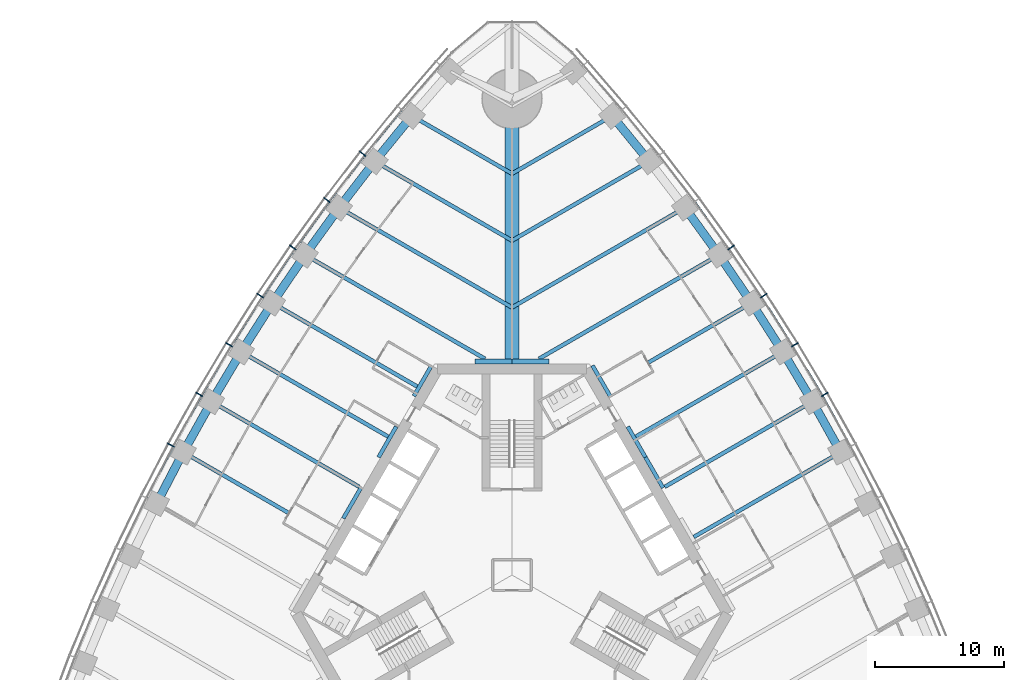
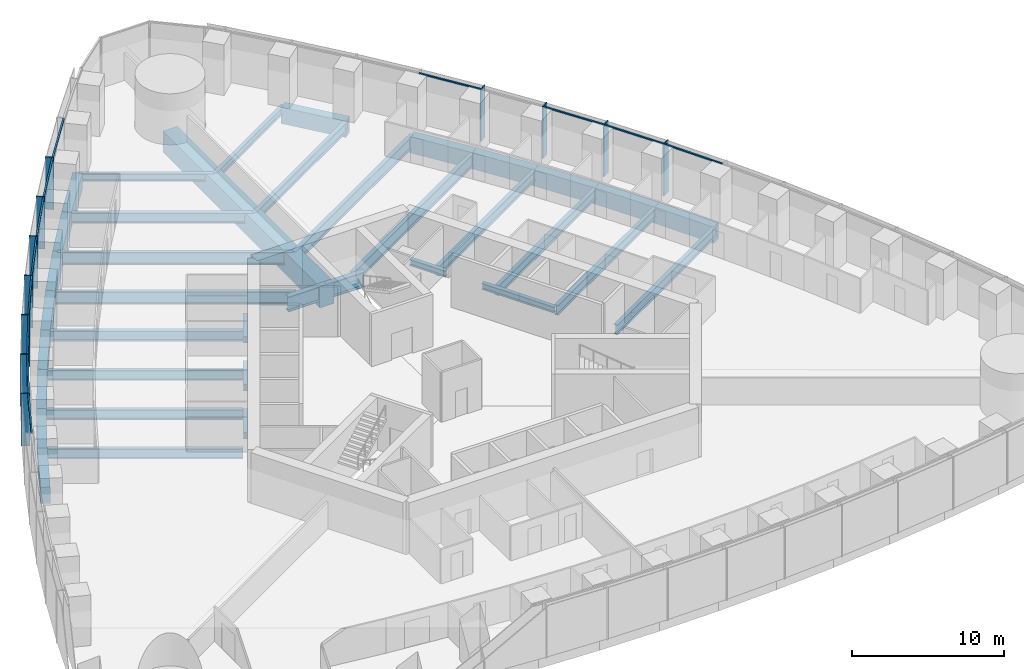
# One storey, part 4 of 19: 39 beams, 23 members, 2 elements without a shape of their own.
"""IFC4 building model written with IfcOpenShell, lengths in metres."""

from ifc_helpers import new_model, si_unit, direction, frame, origin, origin_2d, place, context, subcontext, project, spatial, rectangle, i_section, extrude, material, material_profile, profile_set, type_object, element, aggregate, save


model = new_model("IFC4")

# Units and contexts
model_context = context("Model", 3, precision=1e-05, world=origin(), true_north=direction((0.0, 1.0)))
body_context = subcontext(model_context, "Body", "Model", "MODEL_VIEW")
ifc_project = project(units=[si_unit("LENGTHUNIT", "METRE"), si_unit("AREAUNIT", "SQUARE_METRE"), si_unit("VOLUMEUNIT", "CUBIC_METRE"), si_unit("PLANEANGLEUNIT", "RADIAN"), si_unit("MASSUNIT", "GRAM", prefix="KILO")], contexts=[model_context])

# Site, building, storey
site_placement = place(None, origin())
site = spatial("IfcSite", under=ifc_project, at=site_placement, CompositionType="ELEMENT")
building_placement = place(site_placement, origin())
building = spatial("IfcBuilding", under=site, at=building_placement, Name="Trefoil Bronze Tower", CompositionType="ELEMENT")
storey_placement = place(building_placement, frame((0.0, 0.0, 16.5)))
storey = spatial("IfcBuildingStorey", under=building, at=storey_placement, Name="L03", CompositionType="ELEMENT", Elevation=16.5)

# Curtain wall, members
ifc_material_1 = material(Name="Tinted solar-control glass", Category="glass")
curtain_wall_type = type_object("IfcCurtainWallType", Name="Bronze office curtain wall", PredefinedType="USERDEFINED", material=ifc_material_1)
curtain_wall_1_placement = place(storey_placement, origin())
curtain_wall_1 = element("IfcCurtainWall", 1, at=curtain_wall_1_placement, inside=storey, type_object=curtain_wall_type, Name="CW-A L03 F2", ObjectType="CURTAIN WALL", PredefinedType="USERDEFINED")
ifc_material_2 = material(Name="Bronze-finish aluminium", Category="aluminium")
ifc_material_profile_1 = material_profile(ifc_material_2, rectangle(XDim=0.60009765625, YDim=0.080078125, at=origin_2d()), Name="CW-A mullion")
ifc_profile_set_1 = profile_set([ifc_material_profile_1], Name="Bronze-finish aluminium")
member_type_1 = type_object("IfcMemberType", Name="Bronze office curtain wall mullion", PredefinedType="MULLION", material=ifc_profile_set_1)
member_1_placement = place(storey_placement, frame((24.291015625, 14.0244140625, 0.0), z_axis=(0.0, 0.0, 1.0), x_axis=(-0.866025403784, -0.5, 0.0)))
member_1 = element("IfcMember", 2, at=member_1_placement, type_object=member_type_1, Name="CW-A L03 F2 mullion 9", PredefinedType="MULLION", context=body_context, shape_type="SweptSolid", body=[
    extrude(rectangle(XDim=0.60009765625, YDim=0.080078125, at=origin_2d()), origin(), (0.0, 0.0, 1.0), 4.179931640625),
])
member_2_placement = place(storey_placement, frame((21.97998046875, 17.896240234375, 0.0), z_axis=(0.0, 0.0, 1.0), x_axis=(-0.851149783004, -0.524922896141, 0.0)))
member_2 = element("IfcMember", 3, at=member_2_placement, type_object=member_type_1, Name="CW-A L03 F2 mullion 10", PredefinedType="MULLION", context=body_context, shape_type="SweptSolid", body=[
    extrude(rectangle(XDim=0.60009765625, YDim=0.080078125, at=origin_2d()), origin(), (0.0, 0.0, 1.0), 4.179931640625),
])
member_3_placement = place(storey_placement, frame((19.555419921875, 21.70263671875, 0.0), z_axis=(0.0, 0.0, 1.0), x_axis=(-0.835543651684, -0.549424067665, 0.0)))
member_3 = element("IfcMember", 4, at=member_3_placement, type_object=member_type_1, Name="CW-A L03 F2 mullion 11", PredefinedType="MULLION", context=body_context, shape_type="SweptSolid", body=[
    extrude(rectangle(XDim=0.60009765625, YDim=0.080078125, at=origin_2d()), origin(), (0.0, 0.0, 1.0), 4.179931640625),
])
member_4_placement = place(storey_placement, frame((17.01708984375, 25.443359375, 0.0), z_axis=(0.0, 0.0, 1.0), x_axis=(-0.819204207116, -0.573501932903, 0.0)))
member_4 = element("IfcMember", 5, at=member_4_placement, type_object=member_type_1, Name="CW-A L03 F2 mullion 12", PredefinedType="MULLION", context=body_context, shape_type="SweptSolid", body=[
    extrude(rectangle(XDim=0.60009765625, YDim=0.080078125, at=origin_2d()), origin(), (0.0, 0.0, 1.0), 4.179931640625),
])

curtain_wall_2_placement = place(storey_placement, origin())
curtain_wall_2 = element("IfcCurtainWall", 6, at=curtain_wall_2_placement, inside=storey, type_object=curtain_wall_type, Name="CW-A L03 F3", ObjectType="CURTAIN WALL", PredefinedType="USERDEFINED")
member_5_placement = place(storey_placement, frame((-11.595458984375, 32.7255859375, 0.0), z_axis=(0.0, 0.0, 1.0), x_axis=(0.784304615744, -0.620375910011, 0.0)))
member_5 = element("IfcMember", 7, at=member_5_placement, type_object=member_type_1, Name="CW-A L03 F3 mullion 4", PredefinedType="MULLION", context=body_context, shape_type="SweptSolid", body=[
    extrude(rectangle(XDim=0.60009765625, YDim=0.080078125, at=origin_2d()), origin(), (0.0, 0.0, 1.0), 4.179931640625),
])
member_6_placement = place(storey_placement, frame((-14.364013671875, 29.117919921875, 0.0), z_axis=(0.0, 0.0, 1.0), x_axis=(0.802126748469, -0.59715381552, 0.0)))
member_6 = element("IfcMember", 8, at=member_6_placement, type_object=member_type_1, Name="CW-A L03 F3 mullion 5", PredefinedType="MULLION", context=body_context, shape_type="SweptSolid", body=[
    extrude(rectangle(XDim=0.60009765625, YDim=0.080078125, at=origin_2d()), origin(), (0.0, 0.0, 1.0), 4.179931640625),
])
member_7_placement = place(storey_placement, frame((-17.01708984375, 25.443359375, 0.0), z_axis=(0.0, 0.0, 1.0), x_axis=(0.819204207116, -0.573501932903, 0.0)))
member_7 = element("IfcMember", 9, at=member_7_placement, type_object=member_type_1, Name="CW-A L03 F3 mullion 6", PredefinedType="MULLION", context=body_context, shape_type="SweptSolid", body=[
    extrude(rectangle(XDim=0.60009765625, YDim=0.080078125, at=origin_2d()), origin(), (0.0, 0.0, 1.0), 4.179931640625),
])
member_8_placement = place(storey_placement, frame((-19.555419921875, 21.70263671875, 0.0), z_axis=(0.0, 0.0, 1.0), x_axis=(0.835543651684, -0.549424067665, 0.0)))
member_8 = element("IfcMember", 10, at=member_8_placement, type_object=member_type_1, Name="CW-A L03 F3 mullion 7", PredefinedType="MULLION", context=body_context, shape_type="SweptSolid", body=[
    extrude(rectangle(XDim=0.60009765625, YDim=0.080078125, at=origin_2d()), origin(), (0.0, 0.0, 1.0), 4.179931640625),
])
member_9_placement = place(storey_placement, frame((-21.97998046875, 17.896240234375, 0.0), z_axis=(0.0, 0.0, 1.0), x_axis=(0.851149783004, -0.524922896141, 0.0)))
member_9 = element("IfcMember", 11, at=member_9_placement, type_object=member_type_1, Name="CW-A L03 F3 mullion 8", PredefinedType="MULLION", context=body_context, shape_type="SweptSolid", body=[
    extrude(rectangle(XDim=0.60009765625, YDim=0.080078125, at=origin_2d()), origin(), (0.0, 0.0, 1.0), 4.179931640625),
])
member_10_placement = place(storey_placement, frame((-24.291015625, 14.0244140625, 0.0), z_axis=(0.0, 0.0, 1.0), x_axis=(0.866025403784, -0.5, 0.0)))
member_10 = element("IfcMember", 12, at=member_10_placement, type_object=member_type_1, Name="CW-A L03 F3 mullion 9", PredefinedType="MULLION", context=body_context, shape_type="SweptSolid", body=[
    extrude(rectangle(XDim=0.60009765625, YDim=0.080078125, at=origin_2d()), origin(), (0.0, 0.0, 1.0), 4.179931640625),
])
member_11_placement = place(storey_placement, frame((-26.488525390625, 10.0869140625, 0.0), z_axis=(0.0, 0.0, 1.0), x_axis=(0.880171454588, -0.474655886437, 0.0)))
member_11 = element("IfcMember", 13, at=member_11_placement, type_object=member_type_1, Name="CW-A L03 F3 mullion 10", PredefinedType="MULLION", context=body_context, shape_type="SweptSolid", body=[
    extrude(rectangle(XDim=0.60009765625, YDim=0.080078125, at=origin_2d()), origin(), (0.0, 0.0, 1.0), 4.179931640625),
])

# Member
ifc_material_3 = material(Name="Bronze-finish aluminium", Category="aluminium")
ifc_material_profile_2 = material_profile(ifc_material_3, rectangle(XDim=0.1201171875, YDim=0.10009765625, at=origin_2d()), Name="CW-A transom")
ifc_profile_set_2 = profile_set([ifc_material_profile_2], Name="Bronze-finish aluminium")
member_type_2 = type_object("IfcMemberType", Name="Bronze office curtain wall transom", PredefinedType="USERDEFINED", material=ifc_profile_set_2)
member_12_placement = place(storey_placement, frame((26.29248046875, 10.0283203125, 4.1298828125), z_axis=(-0.487400435348, 0.873178570295, 0.0), x_axis=(-0.873178570295, -0.487400435348, 0.0)))
member_12 = element("IfcMember", 14, at=member_12_placement, type_object=member_type_2, Name="CW-A L03 F2 transom 8", ObjectType="TRANSOM", PredefinedType="USERDEFINED", context=body_context, shape_type="SweptSolid", body=[
    extrude(rectangle(XDim=0.1201171875, YDim=0.10009765625, at=origin_2d()), origin(), (0.0, 0.0, 1.0), 4.42041015625),
])

member_13_placement = place(storey_placement, frame((24.096435546875, 13.9599609375, 4.1298828125), z_axis=(-0.512536988879, 0.858665147209, 0.0), x_axis=(-0.858665147209, -0.512536988879, 0.0)))
member_13 = element("IfcMember", 15, at=member_13_placement, type_object=member_type_2, Name="CW-A L03 F2 transom 9", ObjectType="TRANSOM", PredefinedType="USERDEFINED", context=body_context, shape_type="SweptSolid", body=[
    extrude(rectangle(XDim=0.1201171875, YDim=0.10009765625, at=origin_2d()), origin(), (0.0, 0.0, 1.0), 4.42041015625),
])

member_14_placement = place(storey_placement, frame((21.787353515625, 17.826171875, 4.1298828125), z_axis=(-0.537196807268, 0.843456928515, 0.0), x_axis=(-0.843456928515, -0.537196807268, 0.0)))
member_14 = element("IfcMember", 16, at=member_14_placement, type_object=member_type_2, Name="CW-A L03 F2 transom 10", ObjectType="TRANSOM", PredefinedType="USERDEFINED", context=body_context, shape_type="SweptSolid", body=[
    extrude(rectangle(XDim=0.1201171875, YDim=0.10009765625, at=origin_2d()), origin(), (0.0, 0.0, 1.0), 4.42431640625),
])

member_15_placement = place(storey_placement, frame((16.828857421875, 25.3623046875, 4.1298828125), z_axis=(-0.585378207433, 0.81076035563, 0.0), x_axis=(-0.81076035563, -0.585378207433, 0.0)))
member_15 = element("IfcMember", 17, at=member_15_placement, type_object=member_type_2, Name="CW-A L03 F2 transom 12", ObjectType="TRANSOM", PredefinedType="USERDEFINED", context=body_context, shape_type="SweptSolid", body=[
    extrude(rectangle(XDim=0.1201171875, YDim=0.10009765625, at=origin_2d()), origin(), (0.0, 0.0, 1.0), 4.443359375),
])

aggregate(curtain_wall_1, [member_1, member_2, member_3, member_4, member_12, member_13, member_14, member_15])

member_16_placement = place(storey_placement, frame((-8.582763671875, 36.10498046875, 4.1298828125), z_axis=(-0.631835540201, -0.775102477185, 0.0), x_axis=(0.775102477185, -0.631835540201, 0.0)))
member_16 = element("IfcMember", 18, at=member_16_placement, type_object=member_type_2, Name="CW-A L03 F3 transom 3", ObjectType="TRANSOM", PredefinedType="USERDEFINED", context=body_context, shape_type="SweptSolid", body=[
    extrude(rectangle(XDim=0.1201171875, YDim=0.10009765625, at=origin_2d()), origin(), (0.0, 0.0, 1.0), 4.478271484375),
])

member_17_placement = place(storey_placement, frame((-11.4638671875, 32.568603515625, 4.1298828125), z_axis=(-0.608829203216, -0.793301330713, 0.0), x_axis=(0.793301330713, -0.608829203216, 0.0)))
member_17 = element("IfcMember", 19, at=member_17_placement, type_object=member_type_2, Name="CW-A L03 F3 transom 4", ObjectType="TRANSOM", PredefinedType="USERDEFINED", context=body_context, shape_type="SweptSolid", body=[
    extrude(rectangle(XDim=0.1201171875, YDim=0.10009765625, at=origin_2d()), origin(), (0.0, 0.0, 1.0), 4.458740234375),
])

member_18_placement = place(storey_placement, frame((-14.227783203125, 28.96484375, 4.1298828125), z_axis=(-0.585378207433, -0.81076035563, 0.0), x_axis=(0.81076035563, -0.585378207433, 0.0)))
member_18 = element("IfcMember", 20, at=member_18_placement, type_object=member_type_2, Name="CW-A L03 F3 transom 5", ObjectType="TRANSOM", PredefinedType="USERDEFINED", context=body_context, shape_type="SweptSolid", body=[
    extrude(rectangle(XDim=0.1201171875, YDim=0.10009765625, at=origin_2d()), origin(), (0.0, 0.0, 1.0), 4.443359375),
])

member_19_placement = place(storey_placement, frame((-16.87646484375, 25.29443359375, 4.1298828125), z_axis=(-0.561508153923, -0.827471203775, 0.0), x_axis=(0.827471203775, -0.561508153923, 0.0)))
member_19 = element("IfcMember", 21, at=member_19_placement, type_object=member_type_2, Name="CW-A L03 F3 transom 6", ObjectType="TRANSOM", PredefinedType="USERDEFINED", context=body_context, shape_type="SweptSolid", body=[
    extrude(rectangle(XDim=0.1201171875, YDim=0.10009765625, at=origin_2d()), origin(), (0.0, 0.0, 1.0), 4.431884765625),
])

member_20_placement = place(storey_placement, frame((-19.41064453125, 21.557861328125, 4.1298828125), z_axis=(-0.537196807268, -0.843456928515, 0.0), x_axis=(0.843456928515, -0.537196807268, 0.0)))
member_20 = element("IfcMember", 22, at=member_20_placement, type_object=member_type_2, Name="CW-A L03 F3 transom 7", ObjectType="TRANSOM", PredefinedType="USERDEFINED", context=body_context, shape_type="SweptSolid", body=[
    extrude(rectangle(XDim=0.1201171875, YDim=0.10009765625, at=origin_2d()), origin(), (0.0, 0.0, 1.0), 4.42431640625),
])

member_21_placement = place(storey_placement, frame((-21.830810546875, 17.755615234375, 4.1298828125), z_axis=(-0.512536988879, -0.858665147209, 0.0), x_axis=(0.858665147209, -0.512536988879, 0.0)))
member_21 = element("IfcMember", 23, at=member_21_placement, type_object=member_type_2, Name="CW-A L03 F3 transom 8", ObjectType="TRANSOM", PredefinedType="USERDEFINED", context=body_context, shape_type="SweptSolid", body=[
    extrude(rectangle(XDim=0.1201171875, YDim=0.10009765625, at=origin_2d()), origin(), (0.0, 0.0, 1.0), 4.42041015625),
])

member_22_placement = place(storey_placement, frame((-24.137939453125, 13.88818359375, 4.1298828125), z_axis=(-0.487400435348, -0.873178570295, 0.0), x_axis=(0.873178570295, -0.487400435348, 0.0)))
member_22 = element("IfcMember", 24, at=member_22_placement, type_object=member_type_2, Name="CW-A L03 F3 transom 9", ObjectType="TRANSOM", PredefinedType="USERDEFINED", context=body_context, shape_type="SweptSolid", body=[
    extrude(rectangle(XDim=0.1201171875, YDim=0.10009765625, at=origin_2d()), origin(), (0.0, 0.0, 1.0), 4.42041015625),
])

member_23_placement = place(storey_placement, frame((-26.331787109375, 9.955322265625, 4.1298828125), z_axis=(-0.461809621225, -0.886979071762, 0.0), x_axis=(0.886979071762, -0.461809621225, 0.0)))
member_23 = element("IfcMember", 25, at=member_23_placement, type_object=member_type_2, Name="CW-A L03 F3 transom 10", ObjectType="TRANSOM", PredefinedType="USERDEFINED", context=body_context, shape_type="SweptSolid", body=[
    extrude(rectangle(XDim=0.1201171875, YDim=0.10009765625, at=origin_2d()), origin(), (0.0, 0.0, 1.0), 4.42431640625),
])

aggregate(curtain_wall_2, [member_5, member_6, member_7, member_8, member_9, member_10, member_11, member_16, member_17, member_18, member_19, member_20, member_21, member_22, member_23])

# Beams
ifc_material_4 = material(Name="Steel C355", Category="steel")
ifc_material_profile_3 = material_profile(ifc_material_4, i_section(OverallWidth=0.300048828125, OverallDepth=0.5, WebThickness=0.014404296875, FlangeThickness=0.028076171875, FilletRadius=0.027099609375, at=origin_2d()), Name="HEB 500")
ifc_profile_set_3 = profile_set([ifc_material_profile_3], Name="Steel C355")
beam_type_1 = type_object("IfcBeamType", Name="Core seat beam HEB 500", PredefinedType="BEAM", material=ifc_profile_set_3)
for number, where, z_axis, x_axis, name in (
    (26, (11.734619140625, 6.77490234375, -0.449951171875), (-0.499969057507, 0.866043267704, 0.0), (-0.866043267704, -0.499969057507, 0.0), "Core seat beam F2/+0 L03"),
    (27, (10.363525390625, 9.14990234375, -0.449951171875), (-0.500035825175, 0.866004719122, 0.0), (-0.866004719122, -0.500035825175, 0.0), "Core seat beam F2/+1 L03"),
    (28, (7.62109375, 13.89990234375, -0.449951171875), (-0.500035825175, 0.866004719122, 0.0), (-0.866004719122, -0.500035825175, 0.0), "Core seat beam F2/+2 L03"),
    (29, (-6.249755859375, 16.27490234375, -0.449951171875), (-0.500035825175, -0.866004719122, 0.0), (0.866004719122, -0.500035825175, 0.0), "Core seat beam F3/-2 L03"),
    (30, (-8.9921875, 11.52490234375, -0.449951171875), (-0.500035825175, -0.866004719122, 0.0), (0.866004719122, -0.500035825175, 0.0), "Core seat beam F3/-1 L03"),
    (31, (-11.734619140625, 6.77490234375, -0.449951171875), (-0.500035825175, -0.866004719122, 0.0), (0.866004719122, -0.500035825175, 0.0), "Core seat beam F3/+0 L03"),
):
    element("IfcBeam", number, at=place(storey_placement, frame(where, z_axis=z_axis, x_axis=x_axis)), inside=storey, type_object=beam_type_1, Name=name, PredefinedType="BEAM", context=body_context, shape_type="SweptSolid", body=[
        extrude(i_section(OverallWidth=0.300048828125, OverallDepth=0.5, WebThickness=0.014404296875, FlangeThickness=0.028076171875, FilletRadius=0.027099609375, at=origin_2d()), origin(), (0.0, 0.0, 1.0), 2.742431640625),
    ])
ifc_material_5 = material(Name="Steel C355", Category="steel")
ifc_material_profile_4 = material_profile(ifc_material_5, i_section(OverallWidth=0.39990234375, OverallDepth=1.199951171875, WebThickness=0.02001953125, FlangeThickness=0.0400390625, FilletRadius=0.010009765625, at=origin_2d()), Name="WPG 1200")
ifc_profile_set_4 = profile_set([ifc_material_profile_4], Name="Steel C355")
beam_type_2 = type_object("IfcBeamType", Name="Core seat beam WPG 1200", PredefinedType="BEAM", material=ifc_profile_set_4)
for number, where, z_axis, x_axis, name in (
    (32, (2.88671875, 16.60009765625, -0.800048828125), (-1.0, 0.0, 0.0), (0.0, -1.0, 0.0), "Core seat beam F2/+3 L03"),
    (33, (0.0, 16.60009765625, -0.800048828125), (-1.0, 0.0, 0.0), (0.0, -1.0, 0.0), "Core seat beam F3/-3 L03"),
):
    element("IfcBeam", number, at=place(storey_placement, frame(where, z_axis=z_axis, x_axis=x_axis)), inside=storey, type_object=beam_type_2, Name=name, PredefinedType="BEAM", context=body_context, shape_type="SweptSolid", body=[
        extrude(i_section(OverallWidth=0.39990234375, OverallDepth=1.199951171875, WebThickness=0.02001953125, FlangeThickness=0.0400390625, FilletRadius=0.010009765625, at=origin_2d()), origin(), (0.0, 0.0, 1.0), 2.88671875),
    ])
ifc_material_6 = material(Name="Concrete B80", Category="concrete")
ifc_material_profile_5 = material_profile(ifc_material_6, rectangle(XDim=1.10009765625, YDim=1.699951171875, at=origin_2d()), Name="RC 1100x1700")
ifc_profile_set_5 = profile_set([ifc_material_profile_5], Name="Concrete B80")
beam_type_3 = type_object("IfcBeamType", Name="Corner girder RC 1100x1700", PredefinedType="BEAM", material=ifc_profile_set_5)
beam_1_placement = place(storey_placement, frame((0.0, 16.39990234375, -1.050048828125), z_axis=(0.0, 1.0, 0.0), x_axis=(-1.0, 0.0, 0.0)))
element("IfcBeam", 34, at=beam_1_placement, inside=storey, type_object=beam_type_3, Name="Corner girder K2 L03", PredefinedType="BEAM", context=body_context, shape_type="SweptSolid", body=[
    extrude(rectangle(XDim=1.10009765625, YDim=1.699951171875, at=origin_2d()), origin(), (0.0, 0.0, 1.0), 20.60009765625),
])
ifc_material_7 = material(Name="Steel C355", Category="steel")
ifc_material_profile_6 = material_profile(ifc_material_7, i_section(OverallWidth=0.300048828125, OverallDepth=0.590087890625, WebThickness=0.012939453125, FlangeThickness=0.02490234375, FilletRadius=0.027099609375, at=origin_2d()), Name="HEA 600")
ifc_profile_set_6 = profile_set([ifc_material_profile_6], Name="Steel C355")
beam_type_4 = type_object("IfcBeamType", Name="Floor beam HEA 600", PredefinedType="BEAM", material=ifc_profile_set_6)
for number, where, z_axis, x_axis, name in (
    (35, (7.7763671875, 35.666748046875, -0.4951171875), (-0.866022587327, -0.500004878216, 0.0), (0.500004878216, -0.866022587327, 0.0), "Floor beam F2/+6 L03"),
    (36, (-7.7763671875, 35.666748046875, -0.4951171875), (0.866022587327, -0.500004878216, 0.0), (0.500004878216, 0.866022587327, 0.0), "Floor beam F3/-6 L03"),
):
    element("IfcBeam", number, at=place(storey_placement, frame(where, z_axis=z_axis, x_axis=x_axis)), inside=storey, type_object=beam_type_4, Name=name, PredefinedType="BEAM", context=body_context, shape_type="SweptSolid", body=[
        extrude(i_section(OverallWidth=0.300048828125, OverallDepth=0.590087890625, WebThickness=0.012939453125, FlangeThickness=0.02490234375, FilletRadius=0.027099609375, at=origin_2d()), origin(), (0.0, 0.0, 1.0), 8.9794921875),
    ])
ifc_material_8 = material(Name="Steel C355", Category="steel")
ifc_material_profile_7 = material_profile(ifc_material_8, i_section(OverallWidth=0.300048828125, OverallDepth=1.0, WebThickness=0.01904296875, FlangeThickness=0.035888671875, FilletRadius=0.030029296875, at=origin_2d()), Name="HEB 1000")
ifc_profile_set_7 = profile_set([ifc_material_profile_7], Name="Steel C355")
beam_type_5 = type_object("IfcBeamType", Name="Floor beam HEB 1000", PredefinedType="BEAM", material=ifc_profile_set_7)
for number, where, z_axis, x_axis, name in (
    (37, (13.42578125, 28.5361328125, -0.699951171875), (-0.866022989816, -0.500004181093, 0.0), (0.500004181093, -0.866022989816, 0.0), "Floor beam F2/+4 L03"),
    (38, (-13.42578125, 28.5361328125, -0.699951171875), (0.866022989816, -0.500004181093, 0.0), (0.500004181093, 0.866022989816, 0.0), "Floor beam F3/-4 L03"),
):
    element("IfcBeam", number, at=place(storey_placement, frame(where, z_axis=z_axis, x_axis=x_axis)), inside=storey, type_object=beam_type_5, Name=name, PredefinedType="BEAM", context=body_context, shape_type="SweptSolid", body=[
        extrude(i_section(OverallWidth=0.300048828125, OverallDepth=1.0, WebThickness=0.01904296875, FlangeThickness=0.035888671875, FilletRadius=0.030029296875, at=origin_2d()), origin(), (0.0, 0.0, 1.0), 15.502685546875),
    ])
ifc_material_9 = material(Name="Steel C355", Category="steel")
ifc_material_profile_8 = material_profile(ifc_material_9, i_section(OverallWidth=0.300048828125, OverallDepth=0.800048828125, WebThickness=0.017578125, FlangeThickness=0.032958984375, FilletRadius=0.030029296875, at=origin_2d()), Name="HEB 800")
ifc_profile_set_8 = profile_set([ifc_material_profile_8], Name="Steel C355")
beam_type_6 = type_object("IfcBeamType", Name="Floor beam HEB 800", PredefinedType="BEAM", material=ifc_profile_set_8)
beam_2_placement = place(storey_placement, frame((25.531494140625, 9.54443359375, -0.60009765625), z_axis=(-0.866027071639, -0.499997111179, 0.0), x_axis=(0.499997111179, -0.866027071639, 0.0)))
element("IfcBeam", 39, at=beam_2_placement, inside=storey, type_object=beam_type_6, Name="Floor beam F2/-1 L03", PredefinedType="BEAM", context=body_context, shape_type="SweptSolid", body=[
    extrude(i_section(OverallWidth=0.300048828125, OverallDepth=0.800048828125, WebThickness=0.017578125, FlangeThickness=0.032958984375, FilletRadius=0.030029296875, at=origin_2d()), origin(), (0.0, 0.0, 1.0), 13.18310546875),
])
beam_3_placement = place(storey_placement, frame((23.33837890625, 13.474365234375, -0.60009765625), z_axis=(-0.866031233401, -0.499989902672, 0.0), x_axis=(0.499989902672, -0.866031233401, 0.0)))
element("IfcBeam", 40, at=beam_3_placement, inside=storey, type_object=beam_type_6, Name="Floor beam F2/+0 L03", PredefinedType="BEAM", context=body_context, shape_type="SweptSolid", body=[
    extrude(i_section(OverallWidth=0.300048828125, OverallDepth=0.800048828125, WebThickness=0.017578125, FlangeThickness=0.032958984375, FilletRadius=0.030029296875, at=origin_2d()), origin(), (0.0, 0.0, 1.0), 13.248779296875),
])
beam_4_placement = place(storey_placement, frame((21.031494140625, 17.338623046875, -0.60009765625), z_axis=(-0.866027071639, -0.499997111179, 0.0), x_axis=(0.499997111179, -0.866027071639, 0.0)))
element("IfcBeam", 41, at=beam_4_placement, inside=storey, type_object=beam_type_6, Name="Floor beam F2/+1 L03", PredefinedType="BEAM", context=body_context, shape_type="SweptSolid", body=[
    extrude(i_section(OverallWidth=0.300048828125, OverallDepth=0.800048828125, WebThickness=0.017578125, FlangeThickness=0.032958984375, FilletRadius=0.030029296875, at=origin_2d()), origin(), (0.0, 0.0, 1.0), 13.18310546875),
])
beam_5_placement = place(storey_placement, frame((18.61083984375, 21.13720703125, -0.60009765625), z_axis=(-0.866030615021, -0.499990973765, 0.0), x_axis=(0.499990973765, -0.866030615021, 0.0)))
element("IfcBeam", 42, at=beam_5_placement, inside=storey, type_object=beam_type_6, Name="Floor beam F2/+2 L03", PredefinedType="BEAM", context=body_context, shape_type="SweptSolid", body=[
    extrude(i_section(OverallWidth=0.300048828125, OverallDepth=0.800048828125, WebThickness=0.017578125, FlangeThickness=0.032958984375, FilletRadius=0.030029296875, at=origin_2d()), origin(), (0.0, 0.0, 1.0), 12.986083984375),
])
for number, where, z_axis, x_axis, name in (
    (43, (10.659912109375, 32.13525390625, -0.60009765625), (-0.866024070878, -0.500002308654, 0.0), (0.500002308654, -0.866024070878, 0.0), "Floor beam F2/+5 L03"),
    (44, (-10.659912109375, 32.13525390625, -0.60009765625), (0.866024070878, -0.500002308654, 0.0), (0.500002308654, 0.866024070878, 0.0), "Floor beam F3/-5 L03"),
):
    element("IfcBeam", number, at=place(storey_placement, frame(where, z_axis=z_axis, x_axis=x_axis)), inside=storey, type_object=beam_type_6, Name=name, PredefinedType="BEAM", context=body_context, shape_type="SweptSolid", body=[
        extrude(i_section(OverallWidth=0.300048828125, OverallDepth=0.800048828125, WebThickness=0.017578125, FlangeThickness=0.032958984375, FilletRadius=0.030029296875, at=origin_2d()), origin(), (0.0, 0.0, 1.0), 12.30908203125),
    ])
beam_6_placement = place(storey_placement, frame((-18.61083984375, 21.13720703125, -0.60009765625), z_axis=(0.866030615021, -0.499990973765, 0.0), x_axis=(0.499990973765, 0.866030615021, 0.0)))
element("IfcBeam", 45, at=beam_6_placement, inside=storey, type_object=beam_type_6, Name="Floor beam F3/-2 L03", PredefinedType="BEAM", context=body_context, shape_type="SweptSolid", body=[
    extrude(i_section(OverallWidth=0.300048828125, OverallDepth=0.800048828125, WebThickness=0.017578125, FlangeThickness=0.032958984375, FilletRadius=0.030029296875, at=origin_2d()), origin(), (0.0, 0.0, 1.0), 12.986083984375),
])
beam_7_placement = place(storey_placement, frame((-21.031494140625, 17.338623046875, -0.60009765625), z_axis=(0.866027071639, -0.499997111179, 0.0), x_axis=(0.499997111179, 0.866027071639, 0.0)))
element("IfcBeam", 46, at=beam_7_placement, inside=storey, type_object=beam_type_6, Name="Floor beam F3/-1 L03", PredefinedType="BEAM", context=body_context, shape_type="SweptSolid", body=[
    extrude(i_section(OverallWidth=0.300048828125, OverallDepth=0.800048828125, WebThickness=0.017578125, FlangeThickness=0.032958984375, FilletRadius=0.030029296875, at=origin_2d()), origin(), (0.0, 0.0, 1.0), 13.18310546875),
])
beam_8_placement = place(storey_placement, frame((-23.33837890625, 13.474365234375, -0.60009765625), z_axis=(0.866031233401, -0.499989902672, 0.0), x_axis=(0.499989902672, 0.866031233401, 0.0)))
element("IfcBeam", 47, at=beam_8_placement, inside=storey, type_object=beam_type_6, Name="Floor beam F3/+0 L03", PredefinedType="BEAM", context=body_context, shape_type="SweptSolid", body=[
    extrude(i_section(OverallWidth=0.300048828125, OverallDepth=0.800048828125, WebThickness=0.017578125, FlangeThickness=0.032958984375, FilletRadius=0.030029296875, at=origin_2d()), origin(), (0.0, 0.0, 1.0), 13.248779296875),
])
beam_9_placement = place(storey_placement, frame((-25.531494140625, 9.54443359375, -0.60009765625), z_axis=(0.866027071639, -0.499997111179, 0.0), x_axis=(0.499997111179, 0.866027071639, 0.0)))
element("IfcBeam", 48, at=beam_9_placement, inside=storey, type_object=beam_type_6, Name="Floor beam F3/+1 L03", PredefinedType="BEAM", context=body_context, shape_type="SweptSolid", body=[
    extrude(i_section(OverallWidth=0.300048828125, OverallDepth=0.800048828125, WebThickness=0.017578125, FlangeThickness=0.032958984375, FilletRadius=0.030029296875, at=origin_2d()), origin(), (0.0, 0.0, 1.0), 13.18310546875),
])
ifc_material_10 = material(Name="Steel C355", Category="steel")
ifc_material_profile_9 = material_profile(ifc_material_10, i_section(OverallWidth=0.302001953125, OverallDepth=1.008056640625, WebThickness=0.02099609375, FlangeThickness=0.0400390625, FilletRadius=0.030029296875, at=origin_2d()), Name="HEM 1000")
ifc_profile_set_9 = profile_set([ifc_material_profile_9], Name="Steel C355")
beam_type_7 = type_object("IfcBeamType", Name="Floor beam HEM 1000", PredefinedType="BEAM", material=ifc_profile_set_9)
for number, where, z_axis, x_axis, name in (
    (49, (16.075927734375, 24.869873046875, -0.7041015625), (-0.866028401131, -0.499994808408, 0.0), (0.499994808408, -0.866028401131, 0.0), "Floor beam F2/+3 L03"),
    (50, (-16.075927734375, 24.869873046875, -0.7041015625), (0.866028401131, -0.499994808408, 0.0), (0.499994808408, 0.866028401131, 0.0), "Floor beam F3/-3 L03"),
):
    element("IfcBeam", number, at=place(storey_placement, frame(where, z_axis=z_axis, x_axis=x_axis)), inside=storey, type_object=beam_type_7, Name=name, PredefinedType="BEAM", context=body_context, shape_type="SweptSolid", body=[
        extrude(i_section(OverallWidth=0.302001953125, OverallDepth=1.008056640625, WebThickness=0.02099609375, FlangeThickness=0.0400390625, FilletRadius=0.030029296875, at=origin_2d()), origin(), (0.0, 0.0, 1.0), 16.139892578125),
    ])
ifc_material_11 = material(Name="Concrete B80", Category="concrete")
ifc_material_profile_10 = material_profile(ifc_material_11, rectangle(XDim=0.64990234375, YDim=1.300048828125, at=origin_2d()), Name="RC 650x1300")
ifc_profile_set_10 = profile_set([ifc_material_profile_10], Name="Concrete B80")
beam_type_8 = type_object("IfcBeamType", Name="Spandrel beam RC 650x1300", PredefinedType="SPANDREL", material=ifc_profile_set_10)
for number, where, z_axis, x_axis, name in (
    (51, (25.531494140625, 9.54443359375, -0.85009765625), (-0.487309404804, 0.873229376504, 0.0), (-0.873229376504, -0.487309404804, 0.0), "Spandrel F2.8 L03"),
    (52, (23.33837890625, 13.474365234375, -0.85009765625), (-0.512587831591, 0.858634797166, 0.0), (-0.858634797166, -0.512587831591, 0.0), "Spandrel F2.9 L03"),
):
    element("IfcBeam", number, at=place(storey_placement, frame(where, z_axis=z_axis, x_axis=x_axis)), inside=storey, type_object=beam_type_8, Name=name, PredefinedType="SPANDREL", context=body_context, shape_type="SweptSolid", body=[
        extrude(rectangle(XDim=0.64990234375, YDim=1.300048828125, at=origin_2d()), origin(), (0.0, 0.0, 1.0), 4.50048828125),
    ])
beam_10_placement = place(storey_placement, frame((21.031494140625, 17.338623046875, -0.85009765625), z_axis=(-0.537408473305, 0.843322081307, 0.0), x_axis=(-0.843322081307, -0.537408473305, 0.0)))
element("IfcBeam", 53, at=beam_10_placement, inside=storey, type_object=beam_type_8, Name="Spandrel F2.10 L03", PredefinedType="SPANDREL", context=body_context, shape_type="SweptSolid", body=[
    extrude(rectangle(XDim=0.64990234375, YDim=1.300048828125, at=origin_2d()), origin(), (0.0, 0.0, 1.0), 4.50439453125),
])
beam_11_placement = place(storey_placement, frame((18.61083984375, 21.13720703125, -0.85009765625), z_axis=(-0.561809680291, 0.827266512758, 0.0), x_axis=(-0.827266512758, -0.561809680291, 0.0)))
element("IfcBeam", 54, at=beam_11_placement, inside=storey, type_object=beam_type_8, Name="Spandrel F2.11 L03", PredefinedType="SPANDREL", context=body_context, shape_type="SweptSolid", body=[
    extrude(rectangle(XDim=0.64990234375, YDim=1.300048828125, at=origin_2d()), origin(), (0.0, 0.0, 1.0), 4.511962890625),
])
beam_12_placement = place(storey_placement, frame((16.075927734375, 24.869873046875, -0.85009765625), z_axis=(-0.585823508301, 0.810438657223, 0.0), x_axis=(-0.810438657223, -0.585823508301, 0.0)))
element("IfcBeam", 55, at=beam_12_placement, inside=storey, type_object=beam_type_8, Name="Spandrel F2.12 L03", PredefinedType="SPANDREL", context=body_context, shape_type="SweptSolid", body=[
    extrude(rectangle(XDim=0.64990234375, YDim=1.300048828125, at=origin_2d()), origin(), (0.0, 0.0, 1.0), 4.523681640625),
])
for number, where, z_axis, x_axis, name in (
    (56, (10.659912109375, 32.13525390625, -0.85009765625), (-0.632467643363, 0.774586780225, 0.0), (-0.774586780225, -0.632467643363, 0.0), "Spandrel F2.14 L03"),
    (57, (-7.7763671875, 35.666748046875, -0.85009765625), (-0.632467643363, -0.774586780225, 0.0), (0.774586780225, -0.632467643363, 0.0), "Spandrel F3.3 L03"),
):
    element("IfcBeam", number, at=place(storey_placement, frame(where, z_axis=z_axis, x_axis=x_axis)), inside=storey, type_object=beam_type_8, Name=name, PredefinedType="SPANDREL", context=body_context, shape_type="SweptSolid", body=[
        extrude(rectangle(XDim=0.64990234375, YDim=1.300048828125, at=origin_2d()), origin(), (0.0, 0.0, 1.0), 4.55908203125),
    ])
beam_13_placement = place(storey_placement, frame((-10.659912109375, 32.13525390625, -0.85009765625), z_axis=(-0.609338992146, -0.792909826305, 0.0), x_axis=(0.792909826305, -0.609338992146, 0.0)))
element("IfcBeam", 58, at=beam_13_placement, inside=storey, type_object=beam_type_8, Name="Spandrel F3.4 L03", PredefinedType="SPANDREL", context=body_context, shape_type="SweptSolid", body=[
    extrude(rectangle(XDim=0.64990234375, YDim=1.300048828125, at=origin_2d()), origin(), (0.0, 0.0, 1.0), 4.5390625),
])
beam_14_placement = place(storey_placement, frame((-13.42578125, 28.5361328125, -0.85009765625), z_axis=(-0.585823508301, -0.810438657223, 0.0), x_axis=(0.810438657223, -0.585823508301, 0.0)))
element("IfcBeam", 59, at=beam_14_placement, inside=storey, type_object=beam_type_8, Name="Spandrel F3.5 L03", PredefinedType="SPANDREL", context=body_context, shape_type="SweptSolid", body=[
    extrude(rectangle(XDim=0.64990234375, YDim=1.300048828125, at=origin_2d()), origin(), (0.0, 0.0, 1.0), 4.523681640625),
])
beam_15_placement = place(storey_placement, frame((-16.075927734375, 24.869873046875, -0.85009765625), z_axis=(-0.561809680291, -0.827266512758, 0.0), x_axis=(0.827266512758, -0.561809680291, 0.0)))
element("IfcBeam", 60, at=beam_15_placement, inside=storey, type_object=beam_type_8, Name="Spandrel F3.6 L03", PredefinedType="SPANDREL", context=body_context, shape_type="SweptSolid", body=[
    extrude(rectangle(XDim=0.64990234375, YDim=1.300048828125, at=origin_2d()), origin(), (0.0, 0.0, 1.0), 4.511962890625),
])
beam_16_placement = place(storey_placement, frame((-18.61083984375, 21.13720703125, -0.85009765625), z_axis=(-0.537408473305, -0.843322081307, 0.0), x_axis=(0.843322081307, -0.537408473305, 0.0)))
element("IfcBeam", 61, at=beam_16_placement, inside=storey, type_object=beam_type_8, Name="Spandrel F3.7 L03", PredefinedType="SPANDREL", context=body_context, shape_type="SweptSolid", body=[
    extrude(rectangle(XDim=0.64990234375, YDim=1.300048828125, at=origin_2d()), origin(), (0.0, 0.0, 1.0), 4.50439453125),
])
for number, where, z_axis, x_axis, name in (
    (62, (-21.031494140625, 17.338623046875, -0.85009765625), (-0.512587831591, -0.858634797166, 0.0), (0.858634797166, -0.512587831591, 0.0), "Spandrel F3.8 L03"),
    (63, (-23.33837890625, 13.474365234375, -0.85009765625), (-0.487309404804, -0.873229376504, 0.0), (0.873229376504, -0.487309404804, 0.0), "Spandrel F3.9 L03"),
):
    element("IfcBeam", number, at=place(storey_placement, frame(where, z_axis=z_axis, x_axis=x_axis)), inside=storey, type_object=beam_type_8, Name=name, PredefinedType="SPANDREL", context=body_context, shape_type="SweptSolid", body=[
        extrude(rectangle(XDim=0.64990234375, YDim=1.300048828125, at=origin_2d()), origin(), (0.0, 0.0, 1.0), 4.50048828125),
    ])
beam_17_placement = place(storey_placement, frame((-25.531494140625, 9.54443359375, -0.85009765625), z_axis=(-0.461637716615, -0.887068553495, 0.0), x_axis=(0.887068553495, -0.461637716615, 0.0)))
element("IfcBeam", 64, at=beam_17_placement, inside=storey, type_object=beam_type_8, Name="Spandrel F3.10 L03", PredefinedType="SPANDREL", context=body_context, shape_type="SweptSolid", body=[
    extrude(rectangle(XDim=0.64990234375, YDim=1.300048828125, at=origin_2d()), origin(), (0.0, 0.0, 1.0), 4.50439453125),
])

save(model, "model.ifc")
